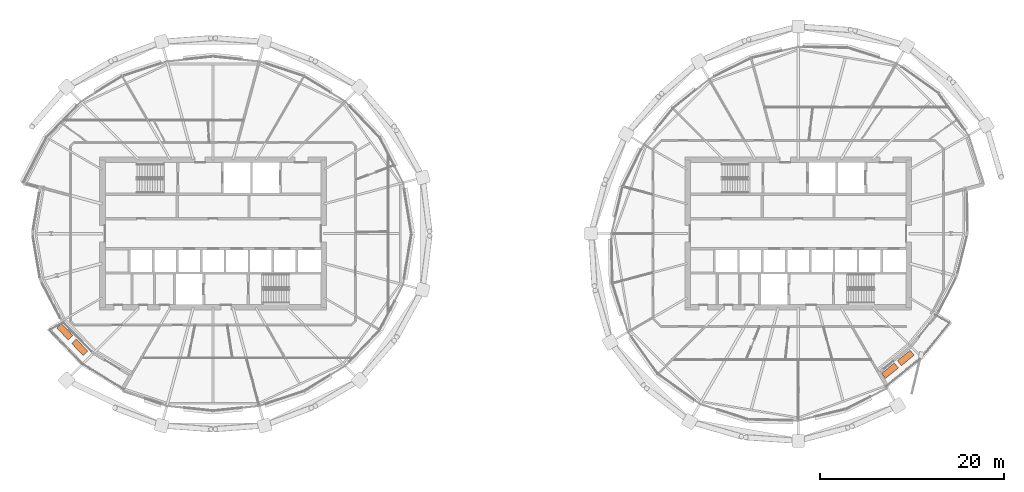
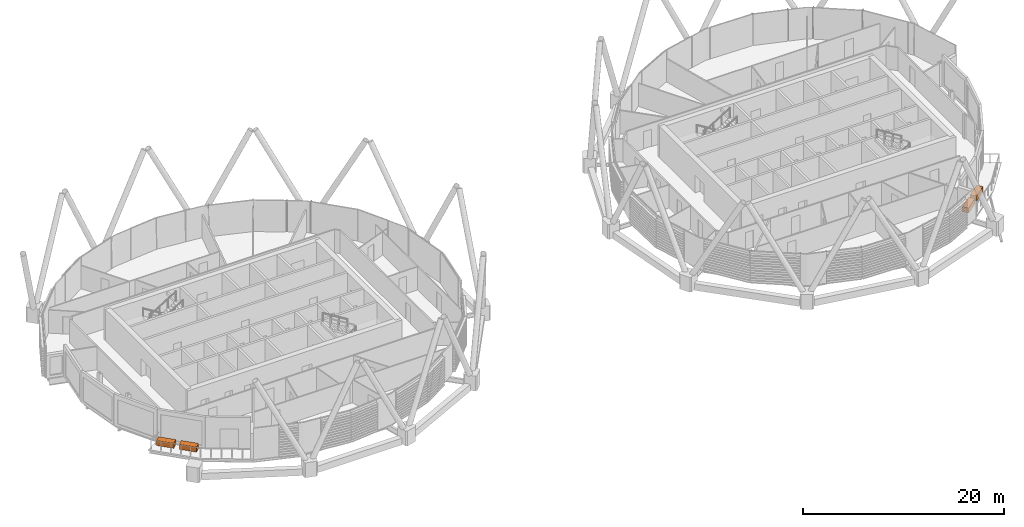
# One storey, part 36 of 36: 4 proxies.
"""IFC4 building model written with IfcOpenShell, lengths in metres."""

import ifcopenshell
import ifcopenshell.guid

model = None  # the IFC model being written
_history = None  # IfcOwnerHistory: only IFC2X3 demands one
_inside = {}  # id of a spatial element -> (the spatial element, [elements in it])
_under = {}  # id of a project, library or spatial element -> (it, [spatial elements below it])
_declared = {}  # id of a project -> (the project, [libraries it declares])
_typed = {}  # id of a type object -> (the type object, [elements of that type])
_made_of = {}  # id of a material, layer set ... -> (it, [elements and type objects made of it])


def new_model(schema):
    """Start an empty IFC model of exactly this schema.

    Asked for "IFC4X3", IfcOpenShell would pick the latest addendum, in which some entities
    have other attributes; the version numbers below select the first issue.
    IFC2X3 requires an IfcOwnerHistory on every rooted entity: one is made here for all.
    """
    global model, _history
    if schema == "IFC4X3":
        model = ifcopenshell.file(schema_version=(4, 3, 0, 0))
    else:
        model = ifcopenshell.file(schema=schema)
    _inside.clear()
    _under.clear()
    _declared.clear()
    _typed.clear()
    _made_of.clear()
    _history = None
    if model.schema == "IFC2X3":
        org = make("IfcOrganization", Name="unknown")
        user = make(
            "IfcPersonAndOrganization",
            ThePerson=make("IfcPerson", FamilyName="unknown"),
            TheOrganization=org,
        )
        app = make(
            "IfcApplication",
            ApplicationDeveloper=org,
            Version="unknown",
            ApplicationFullName="unknown",
            ApplicationIdentifier="unknown",
        )
        _history = make(
            "IfcOwnerHistory",
            OwningUser=user,
            OwningApplication=app,
            ChangeAction="ADDED",
            CreationDate=0,
        )
    return model


def make(cls, **values):
    """One entity of the class cls with the attributes given. An attribute that is None is left unset."""
    return model.create_entity(
        cls, **{name: value for name, value in values.items() if value is not None}
    )


def rooted(cls, **values):
    """An entity with a GlobalId (a new one), such as an element, a storey or a relation."""
    return make(cls, GlobalId=ifcopenshell.guid.new(), OwnerHistory=_history, **values)


def si_unit(unit_type, name, prefix=None):
    """IfcSIUnit, for example si_unit("LENGTHUNIT", "METRE", prefix="MILLI")."""
    return make("IfcSIUnit", UnitType=unit_type, Prefix=prefix, Name=name)


def assignment(units):
    """IfcUnitAssignment: the units of a project."""
    return None if units is None else make("IfcUnitAssignment", Units=units)


def point(xyz):
    """IfcCartesianPoint."""
    return None if xyz is None else make("IfcCartesianPoint", Coordinates=xyz)


def direction(xyz):
    """IfcDirection."""
    return None if xyz is None else make("IfcDirection", DirectionRatios=xyz)


def frame(location, z_axis=None, x_axis=None):
    """IfcAxis2Placement3D, a coordinate frame: its origin and axes. An axis left out is left unset."""
    return make(
        "IfcAxis2Placement3D",
        Location=point(location),
        Axis=direction(z_axis),
        RefDirection=direction(x_axis),
    )


def frame_2d(location, x_axis=None):
    """IfcAxis2Placement2D, a coordinate frame in the plane: its origin and x axis."""
    return make(
        "IfcAxis2Placement2D", Location=point(location), RefDirection=direction(x_axis)
    )


def origin():
    """The frame at (0, 0, 0) with its axes left unset."""
    return frame((0.0, 0.0, 0.0))


def origin_2d():
    """The frame at (0, 0) in the plane with its x axis left unset."""
    return frame_2d((0.0, 0.0))


def place(relative_to, where):
    """IfcLocalPlacement: puts the frame where relative to a parent placement (None: the world)."""
    return make(
        "IfcLocalPlacement", PlacementRelTo=relative_to, RelativePlacement=where
    )


def context(
    kind, dimensions, precision=None, world=None, true_north=None, identifier=None
):
    """IfcGeometricRepresentationContext, for example the 3D "Model" context."""
    return make(
        "IfcGeometricRepresentationContext",
        ContextIdentifier=identifier,
        ContextType=kind,
        CoordinateSpaceDimension=dimensions,
        Precision=precision,
        WorldCoordinateSystem=world,
        TrueNorth=true_north,
    )


def subcontext(parent, identifier, kind, view, scale=None):
    """IfcGeometricRepresentationSubContext, for example "Body" below "Model"."""
    return make(
        "IfcGeometricRepresentationSubContext",
        ContextIdentifier=identifier,
        ContextType=kind,
        ParentContext=parent,
        TargetScale=scale,
        TargetView=view,
    )


def project(units=None, contexts=None):
    """IfcProject with its units and contexts."""
    return rooted(
        "IfcProject",
        Name="project",
        RepresentationContexts=contexts,
        UnitsInContext=assignment(units),
    )


def spatial(cls, under=None, at=None, **own):
    """A site, building, storey or space (cls), placed at a placement, below another one or the project."""
    s = rooted(cls, ObjectPlacement=at, **own)
    if under is not None:
        _under.setdefault(under.id(), (under, []))[1].append(s)
    return s


def profile(cls, at=None, kind="AREA", **sizes):
    """A parametric profile (cls). Its sizes go by their IFC names, for example OverallWidth=200.0."""
    return make(cls, ProfileType=kind, Position=at, **sizes)


def rectangle(**sizes):
    """IfcRectangleProfileDef."""
    return profile("IfcRectangleProfileDef", **sizes)


def extrude(swept, where, along, depth):
    """IfcExtrudedAreaSolid: the profile swept, set in the frame where, extruded along a direction by depth."""
    return make(
        "IfcExtrudedAreaSolid",
        SweptArea=swept,
        Position=where,
        ExtrudedDirection=direction(along),
        Depth=depth,
    )


def shape(context_of_items, identifier, shape_type, items):
    """IfcShapeRepresentation: the items that make up one representation, for example the "Body"."""
    return make(
        "IfcShapeRepresentation",
        ContextOfItems=context_of_items,
        RepresentationIdentifier=identifier,
        RepresentationType=shape_type,
        Items=items,
    )


def material(Name=None, Category=None):
    """IfcMaterial."""
    return make("IfcMaterial", Name=Name, Category=Category)


def made_of(thing, what):
    """Note that an element or type object is made of a material, layer set ...; save() writes the relation."""
    if what is not None:
        _made_of.setdefault(what.id(), (what, []))[1].append(thing)
    return thing


def type_object(cls, material=None, **own):
    """A type object (cls), such as IfcWallType, which elements share."""
    return made_of(rooted(cls, **own), material)


def element(
    cls,
    number,
    at=None,
    inside=None,
    cuts=None,
    type_object=None,
    material=None,
    context=None,
    identifier="Body",
    shape_type=None,
    held_by="IfcProductDefinitionShape",
    body=None,
    shapes=None,
    **own,
):
    """One element of the class cls, such as IfcWall. Its Tag is "e" and its number.

    at: its placement. inside: the storey or other place that contains it. cuts: it is an
    opening in that element (IfcRelVoidsElement). A single representation is given by context,
    identifier, shape_type and body (its items); several are given by shapes. held_by: the class
    of the entity that holds the representations. save() writes the other relations.
    """
    e = rooted(cls, Tag="e%d" % number, ObjectPlacement=at, **own)
    if body is not None:
        shapes = [shape(context, identifier, shape_type, body)]
    if shapes is not None:
        e.Representation = make(held_by, Representations=shapes)
    if inside is not None:
        _inside.setdefault(inside.id(), (inside, []))[1].append(e)
    if cuts is not None:
        rooted(
            "IfcRelVoidsElement", RelatingBuildingElement=cuts, RelatedOpeningElement=e
        )
    if type_object is not None:
        _typed.setdefault(type_object.id(), (type_object, []))[1].append(e)
    return made_of(e, material)


def aggregate(whole, parts):
    """IfcRelAggregates: a whole, such as a stair, and the parts it consists of."""
    return rooted("IfcRelAggregates", RelatingObject=whole, RelatedObjects=parts)


def save(model, path):
    """Write the relations noted so far, then the file.

    IfcRelAggregates (storeys below a building ...), IfcRelContainedInSpatialStructure (elements
    in a storey), IfcRelDefinesByType, IfcRelAssociatesMaterial and IfcRelDeclares: one each for
    every whole, place, type object, material and project.
    """
    for whole, parts in _under.values():
        aggregate(whole, parts)
    for where, things in _inside.values():
        rooted(
            "IfcRelContainedInSpatialStructure",
            RelatedElements=things,
            RelatingStructure=where,
        )
    for kind, things in _typed.values():
        rooted("IfcRelDefinesByType", RelatedObjects=things, RelatingType=kind)
    for what, things in _made_of.values():
        rooted("IfcRelAssociatesMaterial", RelatedObjects=things, RelatingMaterial=what)
    for by, libraries in _declared.values():
        rooted("IfcRelDeclares", RelatingContext=by, RelatedDefinitions=libraries)
    model.write(path)


model = new_model("IFC4")

# Units and contexts
model_context = context("Model", 3, precision=1e-05, world=origin(), true_north=direction((0.0, 1.0)))
body_context = subcontext(model_context, "Body", "Model", "MODEL_VIEW")
ifc_project = project(units=[si_unit("LENGTHUNIT", "METRE"), si_unit("AREAUNIT", "SQUARE_METRE"), si_unit("VOLUMEUNIT", "CUBIC_METRE"), si_unit("PLANEANGLEUNIT", "RADIAN"), si_unit("MASSUNIT", "GRAM", prefix="KILO")], contexts=[model_context])

# Site, building, storey
site_placement = place(None, origin())
site = spatial("IfcSite", under=ifc_project, at=site_placement, CompositionType="ELEMENT")
building_placement = place(site_placement, origin())
building = spatial("IfcBuilding", under=site, at=building_placement, Name="Rimbun Link Towers", CompositionType="ELEMENT")
storey_placement = place(building_placement, frame((0.0, 0.0, 193.10009765625)))
storey = spatial("IfcBuildingStorey", under=building, at=storey_placement, Name="L47", CompositionType="ELEMENT", Elevation=193.10009765625)

# Proxies
ifc_material = material(Name="Concrete C30/37", Category="concrete")
building_element_proxy_type = type_object("IfcBuildingElementProxyType", Name="PLANTER precast box 1800X700X600", PredefinedType="USERDEFINED", material=ifc_material)
for number, where, z_axis, x_axis, name in (
    (1, (-47.84814453125, -10.63525390625, -0.000244140625), (0.0, 0.0, 1.0), (0.692040676143, -0.721858505917, 0.0), "PLANTER"),
    (2, (-46.2138671875, -12.340087890625, -0.000244140625), (0.0, 0.0, 1.0), (0.692040676143, -0.721858505917, 0.0), "PLANTER"),
    (3, (41.70947265625, -14.87255859375, -0.000244140625), (0.0, 0.0, 1.0), (0.777278691991, 0.629156447139, 0.0), "PLANTER"),
    (4, (43.42138671875, -13.48681640625, -0.000244140625), (0.0, 0.0, 1.0), (0.777278691991, 0.629156447139, 0.0), "PLANTER"),
):
    element("IfcBuildingElementProxy", number, at=place(storey_placement, frame(where, z_axis=z_axis, x_axis=x_axis)), inside=storey, type_object=building_element_proxy_type, Name=name, ObjectType="PLANTER", PredefinedType="USERDEFINED", context=body_context, shape_type="SweptSolid", body=[
        extrude(rectangle(XDim=1.800048828125, YDim=0.699951171875, at=origin_2d()), origin(), (0.0, 0.0, 1.0), 0.60009765625),
    ])

save(model, "model.ifc")
